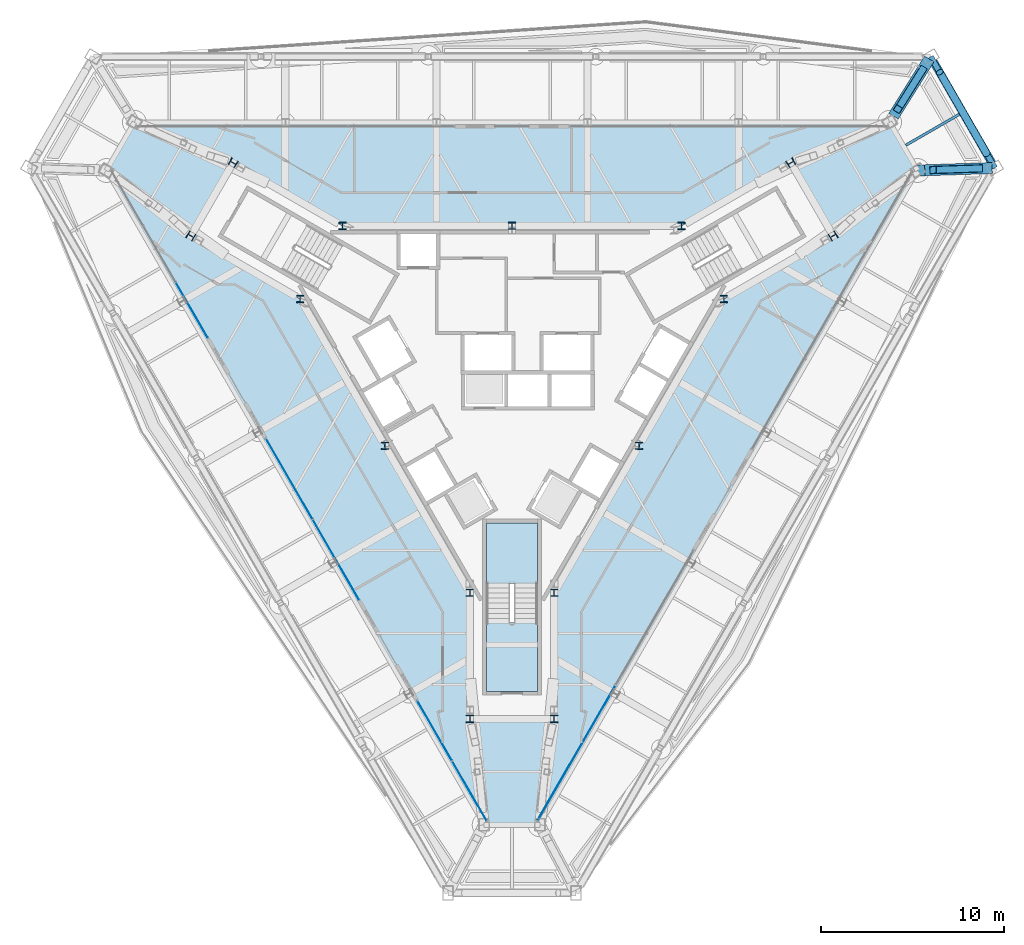
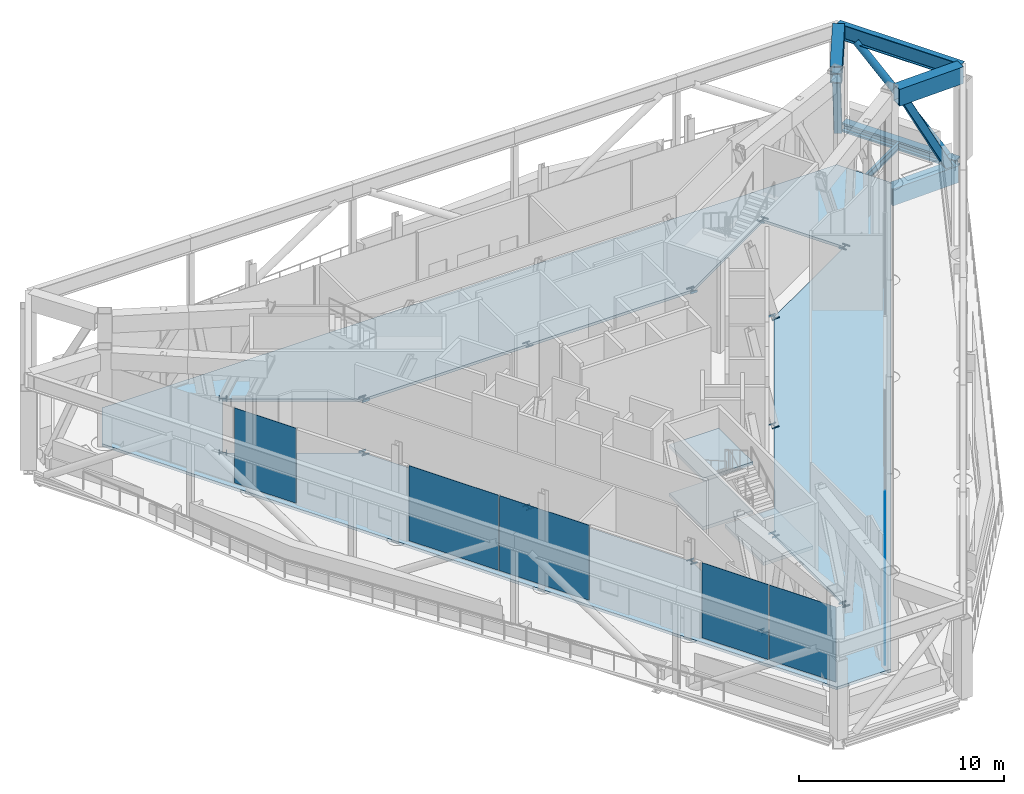
# One storey, part 13 of 25: 18 members, 6 beams, 6 plates, 4 slabs, 5 elements without a shape of their own.
"""IFC4 building model written with IfcOpenShell, lengths in metres."""

from ifc_helpers import new_model, si_unit, direction, frame, origin, origin_2d, place, context, subcontext, project, spatial, polyline, rectangle, hollow_rectangle, hollow_circle, i_section, outline, extrude, material, layer, layer_set, material_profile, profile_set, type_object, element, aggregate, save


model = new_model("IFC4")

# Units and contexts
model_context = context("Model", 3, precision=1e-05, world=origin(), true_north=direction((0.0, 1.0)))
body_context = subcontext(model_context, "Body", "Model", "MODEL_VIEW")
ifc_project = project(units=[si_unit("LENGTHUNIT", "METRE"), si_unit("AREAUNIT", "SQUARE_METRE"), si_unit("VOLUMEUNIT", "CUBIC_METRE"), si_unit("PLANEANGLEUNIT", "RADIAN"), si_unit("MASSUNIT", "GRAM", prefix="KILO")], contexts=[model_context])

# Site, building, storey
site_placement = place(None, origin())
site = spatial("IfcSite", under=ifc_project, at=site_placement, CompositionType="ELEMENT")
building_placement = place(site_placement, origin())
building = spatial("IfcBuilding", under=site, at=building_placement, Name="Verrane Prism Tower", CompositionType="ELEMENT")
storey_placement = place(building_placement, frame((0.0, 0.0, 258.199951171875)))
storey = spatial("IfcBuildingStorey", under=building, at=storey_placement, Name="L65", CompositionType="ELEMENT", Elevation=258.199951171875)

# Beams
ifc_material_1 = material(Name="Steel A992", Category="steel")
ifc_material_profile_1 = material_profile(ifc_material_1, i_section(OverallWidth=0.44189453125, OverallDepth=0.53076171875, WebThickness=0.06591796875, FlangeThickness=0.105712890625, FilletRadius=0.01513671875, at=origin_2d()), Name="W14x605")
ifc_profile_set_1 = profile_set([ifc_material_profile_1], Name="Steel A992")
beam_type_1 = type_object("IfcBeamType", Name="Belt truss chord W14x605", PredefinedType="BEAM", material=ifc_profile_set_1)
beam_1_placement = place(storey_placement, frame((26.190185546875, 11.419921875, -0.424560546875), z_axis=(-0.499500311129, 0.866313707142, 0.0), x_axis=(-0.866313707142, -0.499500311129, 0.0)))
element("IfcBeam", 1, at=beam_1_placement, inside=storey, type_object=beam_type_1, Name="Belt truss chord L65", PredefinedType="BEAM", context=body_context, shape_type="SweptSolid", body=[
    extrude(i_section(OverallWidth=0.44189453125, OverallDepth=0.53076171875, WebThickness=0.06591796875, FlangeThickness=0.105712890625, FilletRadius=0.01513671875, at=origin_2d()), origin(), (0.0, 0.0, 1.0), 6.40673828125),
])
ifc_material_2 = material(Name="Steel A992", Category="steel")
ifc_material_profile_2 = material_profile(ifc_material_2, i_section(OverallWidth=0.307373046875, OverallDepth=0.927001953125, WebThickness=0.01953125, FlangeThickness=0.031982421875, FilletRadius=0.01904296875, at=origin_2d()), Name="W36x194")
ifc_profile_set_2 = profile_set([ifc_material_profile_2], Name="Steel A992")
beam_type_2 = type_object("IfcBeamType", Name="Belt truss chord W36x194", PredefinedType="BEAM", material=ifc_profile_set_2)
beam_2_placement = place(storey_placement, frame((26.340087890625, 11.159912109375, 5.176513671875), z_axis=(-0.499512296699, 0.866306796375, 0.0), x_axis=(-0.866306796375, -0.499512296699, 0.0)))
element("IfcBeam", 2, at=beam_2_placement, inside=storey, type_object=beam_type_2, Name="Belt truss chord L65", PredefinedType="BEAM", context=body_context, shape_type="SweptSolid", body=[
    extrude(i_section(OverallWidth=0.307373046875, OverallDepth=0.927001953125, WebThickness=0.01953125, FlangeThickness=0.031982421875, FilletRadius=0.01904296875, at=origin_2d()), origin(), (0.0, 0.0, 1.0), 7.0068359375),
])

# Member
ifc_material_3 = material(Name="Steel A500 Grade C", Category="steel")
ifc_material_profile_3 = material_profile(ifc_material_3, hollow_circle(Radius=0.203125, WallThickness=0.0126953125, at=origin_2d()), Name="HSS16.000x0.500")
ifc_profile_set_3 = profile_set([ifc_material_profile_3], Name="Steel A500 Grade C")
member_type_1 = type_object("IfcMemberType", Name="Belt truss diagonal HSS16.000x0.500", PredefinedType="BRACE", material=ifc_profile_set_3)
member_1_placement = place(storey_placement, frame((25.892333984375, 11.936279296875, -0.158935546875), z_axis=(-0.358144666425, 0.621104896538, 0.697109105813), x_axis=(-0.866297303456, -0.499528759958, 0.0)))
element("IfcMember", 3, at=member_1_placement, inside=storey, type_object=member_type_1, Name="Belt truss diagonal L65", PredefinedType="BRACE", context=body_context, shape_type="SweptSolid", body=[
    extrude(hollow_circle(Radius=0.203125, WallThickness=0.0126953125, at=origin_2d()), origin(), (0.0, 0.0, 1.0), 7.153564453125),
])

# Beam
ifc_material_4 = material(Name="Steel A992", Category="steel")
ifc_material_profile_4 = material_profile(ifc_material_4, i_section(OverallWidth=0.140380859375, OverallDepth=0.40380859375, WebThickness=0.007080078125, FlangeThickness=0.01123046875, FilletRadius=0.01025390625, at=origin_2d()), Name="W16x31")
ifc_profile_set_4 = profile_set([ifc_material_profile_4], Name="Steel A992")
beam_type_3 = type_object("IfcBeamType", Name="Floor beam W16x31", PredefinedType="BEAM", material=ifc_profile_set_4)
beam_3_placement = place(storey_placement, frame((21.477783203125, 12.398193359375, -0.36181640625), z_axis=(0.866038524942, 0.4999772728, 0.0), x_axis=(-0.4999772728, 0.866038524942, 0.0)))
element("IfcBeam", 4, at=beam_3_placement, inside=storey, type_object=beam_type_3, Name="Floor beam L65", PredefinedType="BEAM", context=body_context, shape_type="SweptSolid", body=[
    extrude(i_section(OverallWidth=0.140380859375, OverallDepth=0.40380859375, WebThickness=0.007080078125, FlangeThickness=0.01123046875, FilletRadius=0.01025390625, at=origin_2d()), origin(), (0.0, 0.0, 1.0), 3.372802734375),
])

# Members
ifc_material_5 = material(Name="Steel A992", Category="steel")
ifc_material_profile_5 = material_profile(ifc_material_5, i_section(OverallWidth=0.398681640625, OverallDepth=0.385986328125, WebThickness=0.02099609375, FlangeThickness=0.033203125, FilletRadius=0.01513671875, at=origin_2d()), Name="W14x176")
ifc_profile_set_5 = profile_set([ifc_material_profile_5], Name="Steel A992")
member_type_2 = type_object("IfcMemberType", Name="Kink node W14x176", PredefinedType="COLLAR", material=ifc_profile_set_5)
member_2_placement = place(storey_placement, frame((0.0, 7.996826171875, -0.030029296875), z_axis=(0.0, 0.0, 1.0), x_axis=(1.0, 0.0, 0.0)))
element("IfcMember", 5, at=member_2_placement, inside=storey, type_object=member_type_2, Name="Kink node CC4 L65", PredefinedType="COLLAR", context=body_context, shape_type="SweptSolid", body=[
    extrude(i_section(OverallWidth=0.398681640625, OverallDepth=0.385986328125, WebThickness=0.02099609375, FlangeThickness=0.033203125, FilletRadius=0.01513671875, at=origin_2d()), origin(), (0.0, 0.0, 1.0), 0.06005859375),
])
for number, where, z_axis, x_axis, name in (
    (6, (11.54833984375, 4.01318359375, -0.06494140625), (0.0, 0.0, 1.0), (1.0, 0.0, 0.0), "Kink node CC4 L65"),
    (7, (9.248291015625, 7.993408203125, -0.06494140625), (0.0, 0.0, 1.0), (1.0, 0.0, 0.0), "Kink node CC4 L65"),
    (8, (-9.248291015625, 7.993408203125, -0.06494140625), (0.0, 0.0, 1.0), (1.0, 0.0, 0.0), "Kink node CC4 L65"),
    (9, (-11.54833984375, 4.01318359375, -0.06494140625), (0.0, 0.0, 1.0), (1.0, 0.0, 0.0), "Kink node CC4 L65"),
):
    element("IfcMember", number, at=place(storey_placement, frame(where, z_axis=z_axis, x_axis=x_axis)), inside=storey, type_object=member_type_2, Name=name, PredefinedType="COLLAR", context=body_context, shape_type="SweptSolid", body=[
        extrude(i_section(OverallWidth=0.398681640625, OverallDepth=0.385986328125, WebThickness=0.02099609375, FlangeThickness=0.033203125, FilletRadius=0.01513671875, at=origin_2d()), origin(), (0.0, 0.0, 1.0), 0.1298828125),
    ])
for number, where, z_axis, x_axis, name in (
    (10, (6.926513671875, -3.997802734375, -0.0400390625), (0.0, 0.0, 1.0), (1.0, 0.0, 0.0), "Kink node CC4 L65"),
    (11, (-6.926513671875, -3.997802734375, -0.0400390625), (0.0, 0.0, 1.0), (1.0, 0.0, 0.0), "Kink node CC4 L65"),
):
    element("IfcMember", number, at=place(storey_placement, frame(where, z_axis=z_axis, x_axis=x_axis)), inside=storey, type_object=member_type_2, Name=name, PredefinedType="COLLAR", context=body_context, shape_type="SweptSolid", body=[
        extrude(i_section(OverallWidth=0.398681640625, OverallDepth=0.385986328125, WebThickness=0.02099609375, FlangeThickness=0.033203125, FilletRadius=0.01513671875, at=origin_2d()), origin(), (0.0, 0.0, 1.0), 0.080078125),
    ])
for number, where, z_axis, x_axis, name in (
    (12, (-2.300048828125, -12.009765625, -0.050048828125), (0.0, 0.0, 1.0), (1.0, 0.0, 0.0), "Kink node CC4 L65"),
    (13, (2.300048828125, -12.009765625, -0.050048828125), (0.0, 0.0, 1.0), (1.0, 0.0, 0.0), "Kink node CC4 L65"),
):
    element("IfcMember", number, at=place(storey_placement, frame(where, z_axis=z_axis, x_axis=x_axis)), inside=storey, type_object=member_type_2, Name=name, PredefinedType="COLLAR", context=body_context, shape_type="SweptSolid", body=[
        extrude(i_section(OverallWidth=0.398681640625, OverallDepth=0.385986328125, WebThickness=0.02099609375, FlangeThickness=0.033203125, FilletRadius=0.01513671875, at=origin_2d()), origin(), (0.0, 0.0, 1.0), 0.10009765625),
    ])
ifc_material_6 = material(Name="Steel A992", Category="steel")
ifc_material_profile_6 = material_profile(ifc_material_6, i_section(OverallWidth=0.4013671875, OverallDepth=0.398681640625, WebThickness=0.02490234375, FlangeThickness=0.03955078125, FilletRadius=0.01513671875, at=origin_2d()), Name="W14x211")
ifc_profile_set_6 = profile_set([ifc_material_profile_6], Name="Steel A992")
member_type_3 = type_object("IfcMemberType", Name="Kink node W14x211", PredefinedType="COLLAR", material=ifc_profile_set_6)
for number, where, z_axis, x_axis, name in (
    (14, (17.510986328125, 7.454833984375, -0.050048828125), (0.0, 0.0, 1.0), (0.5, -0.866025403784, 0.0), "Kink node CK5 L65"),
    (15, (15.211181640625, 11.434814453125, -0.050048828125), (0.0, 0.0, 1.0), (0.5, -0.866025403784, 0.0), "Kink node CK5 L65"),
    (16, (-15.211181640625, 11.434814453125, -0.050048828125), (0.0, 0.0, 1.0), (0.5, 0.866025403784, 0.0), "Kink node CK5 L65"),
    (17, (-17.510986328125, 7.454833984375, -0.050048828125), (0.0, 0.0, 1.0), (0.5, 0.866025403784, 0.0), "Kink node CK5 L65"),
    (18, (-2.300048828125, -18.8896484375, -0.050048828125), (0.0, 0.0, 1.0), (-1.0, 0.0, 0.0), "Kink node CK5 L65"),
    (19, (2.300048828125, -18.8896484375, -0.050048828125), (0.0, 0.0, 1.0), (-1.0, 0.0, 0.0), "Kink node CK5 L65"),
):
    element("IfcMember", number, at=place(storey_placement, frame(where, z_axis=z_axis, x_axis=x_axis)), inside=storey, type_object=member_type_3, Name=name, PredefinedType="COLLAR", context=body_context, shape_type="SweptSolid", body=[
        extrude(i_section(OverallWidth=0.4013671875, OverallDepth=0.398681640625, WebThickness=0.02490234375, FlangeThickness=0.03955078125, FilletRadius=0.01513671875, at=origin_2d()), origin(), (0.0, 0.0, 1.0), 0.10009765625),
    ])

# Beams
ifc_material_7 = material(Name="Steel A572 Grade 50", Category="steel")
ifc_material_profile_7 = material_profile(ifc_material_7, hollow_rectangle(XDim=0.60009765625, YDim=1.0, WallThickness=0.06005859375, at=origin_2d()), Name="BOX 1000x600x60")
ifc_profile_set_7 = profile_set([ifc_material_profile_7], Name="Steel A572 Grade 50")
beam_type_4 = type_object("IfcBeamType", Name="Outrigger truss chord BOX 1000x600x60", PredefinedType="BEAM", material=ifc_profile_set_7)
beam_4_placement = place(storey_placement, frame((25.88671875, 11.14501953125, -0.659912109375), z_axis=(-0.99944978539, -0.033168154662, 0.0), x_axis=(0.033168154662, -0.99944978539, 0.0)))
element("IfcBeam", 20, at=beam_4_placement, inside=storey, type_object=beam_type_4, Name="Outrigger truss chord L65", PredefinedType="BEAM", context=body_context, shape_type="SweptSolid", body=[
    extrude(hollow_rectangle(XDim=0.60009765625, YDim=1.0, WallThickness=0.06005859375, at=origin_2d()), origin(), (0.0, 0.0, 1.0), 3.7685546875),
])
beam_5_placement = place(storey_placement, frame((26.190185546875, 11.155029296875, 5.14013671875), z_axis=(-0.999450568928, -0.033144536047, 0.0), x_axis=(0.033144536047, -0.999450568928, 0.0)))
element("IfcBeam", 21, at=beam_5_placement, inside=storey, type_object=beam_type_4, Name="Outrigger truss chord L65", PredefinedType="BEAM", context=body_context, shape_type="SweptSolid", body=[
    extrude(hollow_rectangle(XDim=0.60009765625, YDim=1.0, WallThickness=0.06005859375, at=origin_2d()), origin(), (0.0, 0.0, 1.0), 3.675537109375),
])
beam_6_placement = place(storey_placement, frame((22.760498046875, 17.102783203125, 5.14013671875), z_axis=(-0.530410712547, -0.847740807096, 0.0), x_axis=(0.847740807096, -0.530410712547, 0.0)))
element("IfcBeam", 22, at=beam_6_placement, inside=storey, type_object=beam_type_4, Name="Outrigger truss chord L65", PredefinedType="BEAM", context=body_context, shape_type="SweptSolid", body=[
    extrude(hollow_rectangle(XDim=0.60009765625, YDim=1.0, WallThickness=0.06005859375, at=origin_2d()), origin(), (0.0, 0.0, 1.0), 3.6767578125),
])

# Members
ifc_material_8 = material(Name="Steel A500 Grade C", Category="steel")
ifc_material_profile_8 = material_profile(ifc_material_8, hollow_rectangle(XDim=0.406494140625, YDim=0.406494140625, WallThickness=0.01904296875, InnerFilletRadius=0.009521484375, OuterFilletRadius=0.028564453125, at=origin_2d()), Name="HSS16x16x3/4")
ifc_profile_set_8 = profile_set([ifc_material_profile_8], Name="Steel A500 Grade C")
member_type_4 = type_object("IfcMemberType", Name="Outrigger truss diagonal HSS16x16x3/4", PredefinedType="BRACE", material=ifc_profile_set_8)
member_3_placement = place(storey_placement, frame((25.491455078125, 11.1318359375, -0.219970703125), z_axis=(-0.456251772276, -0.015143638271, 0.889721861322), x_axis=(0.033173139118, -0.999449619961, 0.0)))
element("IfcMember", 23, at=member_3_placement, inside=storey, type_object=member_type_4, Name="Outrigger truss diagonal L65", PredefinedType="BRACE", context=body_context, shape_type="SweptSolid", body=[
    extrude(hollow_rectangle(XDim=0.406494140625, YDim=0.406494140625, WallThickness=0.01904296875, InnerFilletRadius=0.009521484375, OuterFilletRadius=0.028564453125, at=origin_2d()), origin(), (0.0, 0.0, 1.0), 5.52978515625),
])
member_4_placement = place(storey_placement, frame((22.3896484375, 16.51025390625, -0.219970703125), z_axis=(-0.242194612043, -0.387087560772, 0.889665662029), x_axis=(0.847737476757, -0.530416035298, 0.0)))
element("IfcMember", 24, at=member_4_placement, inside=storey, type_object=member_type_4, Name="Outrigger truss diagonal L65", PredefinedType="BRACE", context=body_context, shape_type="SweptSolid", body=[
    extrude(hollow_rectangle(XDim=0.406494140625, YDim=0.406494140625, WallThickness=0.01904296875, InnerFilletRadius=0.009521484375, OuterFilletRadius=0.028564453125, at=origin_2d()), origin(), (0.0, 0.0, 1.0), 5.530029296875),
])

# Slab
ifc_material_9 = material(Name="Concrete C35/45", Category="concrete")
ifc_layer_1 = layer(ifc_material_9, 0.159912109375)
ifc_layer_set_1 = layer_set([ifc_layer_1], Name="Composite floor slab")
slab_type_1 = type_object("IfcSlabType", Name="Composite floor slab", PredefinedType="FLOOR", material=ifc_layer_set_1)
slab_1_placement = place(storey_placement, frame((0.0, 0.0, -0.159912109375)))
element("IfcSlab", 25, at=slab_1_placement, inside=storey, type_object=slab_type_1, Name="Floor slab L65", PredefinedType="FLOOR", context=body_context, shape_type="SweptSolid", body=[
    extrude(outline(polyline([(-1.531005859375, -24.79150390625), (-22.235595703125, 11.06982421875), (-20.70458984375, 13.7216796875), (20.70458984375, 13.7216796875), (22.235595703125, 11.06982421875), (1.531005859375, -24.79150390625), (-1.531005859375, -24.79150390625)]), holes=[polyline([(15.219970703125, 11.43994140625), (9.260009765625, 8.0), (0.0, 8.0), (-9.260009765625, 8.0), (-15.219970703125, 11.43994140625), (-17.52001953125, 7.4599609375), (-11.56005859375, 4.02001953125), (-6.929931640625, -4.0), (-2.300048828125, -12.02001953125), (-2.300048828125, -18.89990234375), (2.300048828125, -18.89990234375), (2.300048828125, -12.02001953125), (6.929931640625, -4.0), (11.56005859375, 4.02001953125), (17.52001953125, 7.4599609375), (15.219970703125, 11.43994140625)])]), origin(), (0.0, 0.0, 1.0), 0.159912109375),
])

# Curtain wall, plate
ifc_material_10 = material(Name="Aluminium framed insulated glazing", Category="aluminium")
curtain_wall_type_1 = type_object("IfcCurtainWallType", Name="Curtain wall CW-C 4200 module", PredefinedType="NOTDEFINED", material=ifc_material_10)
curtain_wall_1_placement = place(storey_placement, origin())
curtain_wall_1 = element("IfcCurtainWall", 26, at=curtain_wall_1_placement, inside=storey, type_object=curtain_wall_type_1, Name="Refuge lounge glazing south-west face L65 1", PredefinedType="NOTDEFINED")
ifc_material_11 = material(Name="Low-iron insulating glass unit", Category="glass")
ifc_layer_2 = layer(ifc_material_11, 0.02392578125)
ifc_layer_set_2 = layer_set([ifc_layer_2], Name="Glazing panel IGU 24")
plate_type_1 = type_object("IfcPlateType", Name="Glazing panel IGU 24", PredefinedType="CURTAIN_PANEL", material=ifc_layer_set_2)
plate_1_placement = place(storey_placement, frame((-17.45751953125, 3.393798828125, 0.0498046875), z_axis=(0.0, 0.0, 1.0), x_axis=(0.499997421516, -0.866026892468, 0.0)))
plate_1 = element("IfcPlate", 27, at=plate_1_placement, type_object=plate_type_1, Name="CW65.4.1 panel 3", PredefinedType="CURTAIN_PANEL", context=body_context, shape_type="SweptSolid", body=[
    extrude(rectangle(XDim=3.475341796875, YDim=0.02392578125, at=origin_2d()), origin(), (0.0, 0.0, 1.0), 4.472412109375),
])
aggregate(curtain_wall_1, [plate_1])

# Curtain wall, plates
curtain_wall_2_placement = place(storey_placement, origin())
curtain_wall_2 = element("IfcCurtainWall", 28, at=curtain_wall_2_placement, inside=storey, type_object=curtain_wall_type_1, Name="Refuge lounge glazing south-west face L65 2", PredefinedType="NOTDEFINED")
plate_2_placement = place(storey_placement, frame((-12.14697265625, -5.804443359375, 0.0498046875), z_axis=(0.0, 0.0, 1.0), x_axis=(0.500001279045, -0.866024665326, 0.0)))
plate_2 = element("IfcPlate", 29, at=plate_2_placement, type_object=plate_type_1, Name="CW65.4.2 panel 1", PredefinedType="CURTAIN_PANEL", context=body_context, shape_type="SweptSolid", body=[
    extrude(rectangle(XDim=5.047607421875, YDim=0.02392578125, at=origin_2d()), origin(), (0.0, 0.0, 1.0), 4.472412109375),
])
plate_3_placement = place(storey_placement, frame((-9.59814453125, -10.218994140625, 0.0498046875), z_axis=(0.0, 0.0, 1.0), x_axis=(0.500001279045, -0.866024665326, 0.0)))
plate_3 = element("IfcPlate", 30, at=plate_3_placement, type_object=plate_type_1, Name="CW65.4.2 panel 2", PredefinedType="CURTAIN_PANEL", context=body_context, shape_type="SweptSolid", body=[
    extrude(rectangle(XDim=5.047607421875, YDim=0.02392578125, at=origin_2d()), origin(), (0.0, 0.0, 1.0), 4.472412109375),
])
aggregate(curtain_wall_2, [plate_2, plate_3])

curtain_wall_3_placement = place(storey_placement, origin())
curtain_wall_3 = element("IfcCurtainWall", 31, at=curtain_wall_3_placement, inside=storey, type_object=curtain_wall_type_1, Name="Refuge lounge glazing south-west face L65 3", PredefinedType="NOTDEFINED")
plate_4_placement = place(storey_placement, frame((-4.21923828125, -19.53564453125, 0.0498046875), z_axis=(0.0, 0.0, 1.0), x_axis=(0.500001305678, -0.86602464995, 0.0)))
plate_4 = element("IfcPlate", 32, at=plate_4_placement, type_object=plate_type_1, Name="CW65.4.3 panel 1", PredefinedType="CURTAIN_PANEL", context=body_context, shape_type="SweptSolid", body=[
    extrude(rectangle(XDim=3.748291015625, YDim=0.02392578125, at=origin_2d()), origin(), (0.0, 0.0, 1.0), 4.472412109375),
])
plate_5_placement = place(storey_placement, frame((-2.320068359375, -22.8251953125, 0.0498046875), z_axis=(0.0, 0.0, 1.0), x_axis=(0.500001305678, -0.86602464995, 0.0)))
plate_5 = element("IfcPlate", 33, at=plate_5_placement, type_object=plate_type_1, Name="CW65.4.3 panel 2", PredefinedType="CURTAIN_PANEL", context=body_context, shape_type="SweptSolid", body=[
    extrude(rectangle(XDim=3.748291015625, YDim=0.02392578125, at=origin_2d()), origin(), (0.0, 0.0, 1.0), 4.472412109375),
])
aggregate(curtain_wall_3, [plate_4, plate_5])

# Curtain wall, plate
ifc_material_12 = material(Name="Aluminium framed insulated glazing", Category="aluminium")
curtain_wall_type_2 = type_object("IfcCurtainWallType", Name="Curtain wall CW-A 8400 module", PredefinedType="NOTDEFINED", material=ifc_material_12)
curtain_wall_4_placement = place(storey_placement, origin())
curtain_wall_4 = element("IfcCurtainWall", 34, at=curtain_wall_4_placement, inside=storey, type_object=curtain_wall_type_2, Name="Refuge lounge glazing south-east face L65 1", PredefinedType="NOTDEFINED")
ifc_material_13 = material(Name="Low-iron insulating glass unit", Category="glass")
ifc_layer_3 = layer(ifc_material_13, 0.031982421875)
ifc_layer_set_3 = layer_set([ifc_layer_3], Name="Glazing panel IGU 32")
plate_type_2 = type_object("IfcPlateType", Name="Glazing panel IGU 32", PredefinedType="CURTAIN_PANEL", material=ifc_layer_set_3)
plate_6_placement = place(storey_placement, frame((3.510986328125, -20.76220703125, 0.06982421875), z_axis=(0.0, 0.0, 1.0), x_axis=(0.499997784185, 0.866026683082, 0.0)))
plate_6 = element("IfcPlate", 35, at=plate_6_placement, type_object=plate_type_2, Name="CW65.6.1 panel 1", PredefinedType="CURTAIN_PANEL", context=body_context, shape_type="SweptSolid", body=[
    extrude(rectangle(XDim=8.47265625, YDim=0.031982421875, at=origin_2d()), origin(), (0.0, 0.0, 1.0), 4.452392578125),
])
aggregate(curtain_wall_4, [plate_6])

# Stair, slabs
ifc_material_14 = material(Name="Concrete C40/50", Category="concrete")
stair_type = type_object("IfcStairType", Name="Exit stair 1300 dog-leg precast concrete C40/50", PredefinedType="HALF_TURN_STAIR", material=ifc_material_14)
stair_placement = place(storey_placement, origin())
stair = element("IfcStair", 36, at=stair_placement, inside=storey, type_object=stair_type, Name="Stair 3 L65", PredefinedType="HALF_TURN_STAIR")
ifc_material_15 = material(Name="Concrete C40/50", Category="concrete")
ifc_layer_4 = layer(ifc_material_15, 0.199951171875)
ifc_layer_set_4 = layer_set([ifc_layer_4], Name="Stair landing 200 precast concrete C40/50")
slab_type_2 = type_object("IfcSlabType", Name="Stair landing 200 precast concrete C40/50", PredefinedType="LANDING", material=ifc_layer_set_4)
slab_2_placement = place(storey_placement, frame((0.0, 0.0, 1.25)))
slab_2 = element("IfcSlab", 37, at=slab_2_placement, type_object=slab_type_2, Name="Stair 3 landing 1", PredefinedType="LANDING", context=body_context, shape_type="SweptSolid", body=[
    extrude(outline(polyline([(1.39990234375, -11.52001953125), (1.39990234375, -8.199951171875), (-1.39990234375, -8.199951171875), (-1.39990234375, -11.52001953125), (1.39990234375, -11.52001953125)])), origin(), (0.0, 0.0, 1.0), 0.199951171875),
])
slab_3_placement = place(storey_placement, frame((0.0, 0.0, 2.699951171875)))
slab_3 = element("IfcSlab", 38, at=slab_3_placement, type_object=slab_type_2, Name="Stair 3 landing 2", PredefinedType="LANDING", context=body_context, shape_type="SweptSolid", body=[
    extrude(outline(polyline([(1.39990234375, -17.39990234375), (1.39990234375, -13.639892578125), (-1.39990234375, -13.639892578125), (-1.39990234375, -17.39990234375), (1.39990234375, -17.39990234375)])), origin(), (0.0, 0.0, 1.0), 0.2001953125),
])
slab_4_placement = place(storey_placement, frame((0.0, 0.0, 4.150146484375)))
slab_4 = element("IfcSlab", 39, at=slab_4_placement, type_object=slab_type_2, Name="Stair 3 landing 3", PredefinedType="LANDING", context=body_context, shape_type="SweptSolid", body=[
    extrude(outline(polyline([(1.39990234375, -11.52001953125), (1.39990234375, -8.199951171875), (-1.39990234375, -8.199951171875), (-1.39990234375, -11.52001953125), (1.39990234375, -11.52001953125)])), origin(), (0.0, 0.0, 1.0), 0.199951171875),
])
aggregate(stair, [slab_2, slab_3, slab_4])

save(model, "model.ifc")
